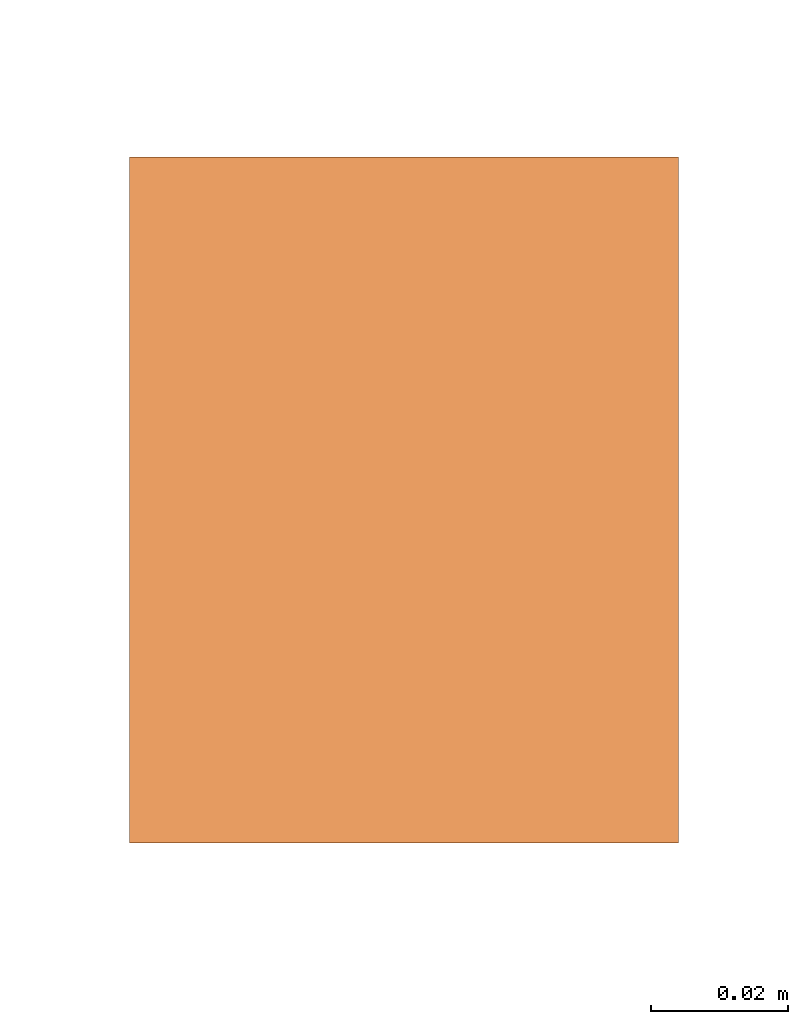
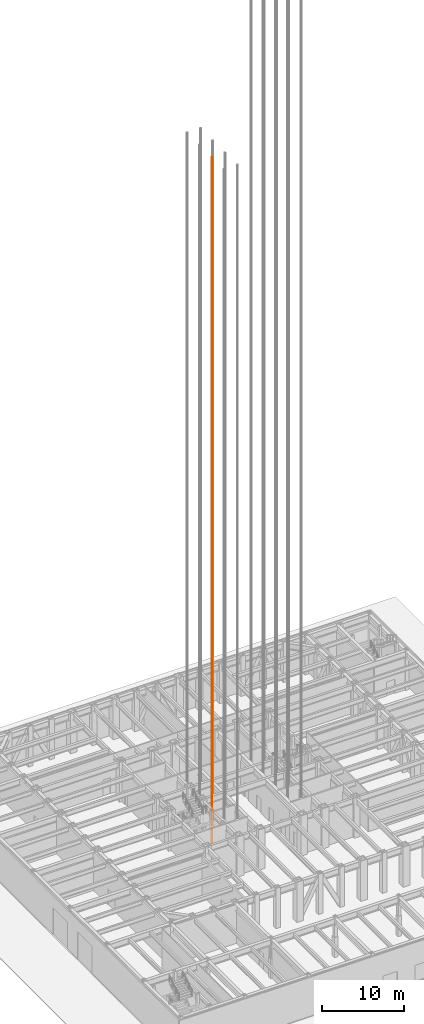
# One storey, part 22 of 35: 1 proxy.
"""IFC4 building model written with IfcOpenShell, lengths in metres."""

from ifc_helpers import new_model, si_unit, direction, frame, origin, origin_2d, place, context, subcontext, project, spatial, rectangle, extrude, material, type_object, element, save


model = new_model("IFC4")

# Units and contexts
model_context = context("Model", 3, precision=1e-05, world=origin(), true_north=direction((0.0, 1.0)))
body_context = subcontext(model_context, "Body", "Model", "MODEL_VIEW")
ifc_project = project(units=[si_unit("LENGTHUNIT", "METRE"), si_unit("AREAUNIT", "SQUARE_METRE"), si_unit("VOLUMEUNIT", "CUBIC_METRE"), si_unit("PLANEANGLEUNIT", "RADIAN"), si_unit("MASSUNIT", "GRAM", prefix="KILO")], contexts=[model_context])

# Site, building, storey
site_placement = place(None, origin())
site = spatial("IfcSite", under=ifc_project, at=site_placement, CompositionType="ELEMENT")
building_placement = place(site_placement, origin())
building = spatial("IfcBuilding", under=site, at=building_placement, Name="Chuquiago Exchange Tower", CompositionType="ELEMENT")
storey_placement = place(building_placement, origin())
storey = spatial("IfcBuildingStorey", under=building, at=storey_placement, Name="L00", CompositionType="ELEMENT", Elevation=0.0)

# Proxy
ifc_material = material(Name="Galvanised steel guide rail", Category="steel")
building_element_proxy_type = type_object("IfcBuildingElementProxyType", Name="LR lift guide rail", PredefinedType="NOTDEFINED", material=ifc_material)
proxy_placement = place(storey_placement, frame((17.06494140625, 19.5, 0.0), z_axis=(0.0, 0.0, 1.0), x_axis=(1.0, 0.0, 0.0)))
element("IfcBuildingElementProxy", 1, at=proxy_placement, inside=storey, type_object=building_element_proxy_type, Name="Lift LA2 guide rail W", PredefinedType="NOTDEFINED", context=body_context, shape_type="SweptSolid", body=[
    extrude(rectangle(XDim=0.080078125, YDim=0.10009765625, at=origin_2d()), origin(), (0.0, 0.0, 1.0), 102.300048828125),
])

save(model, "model.ifc")
